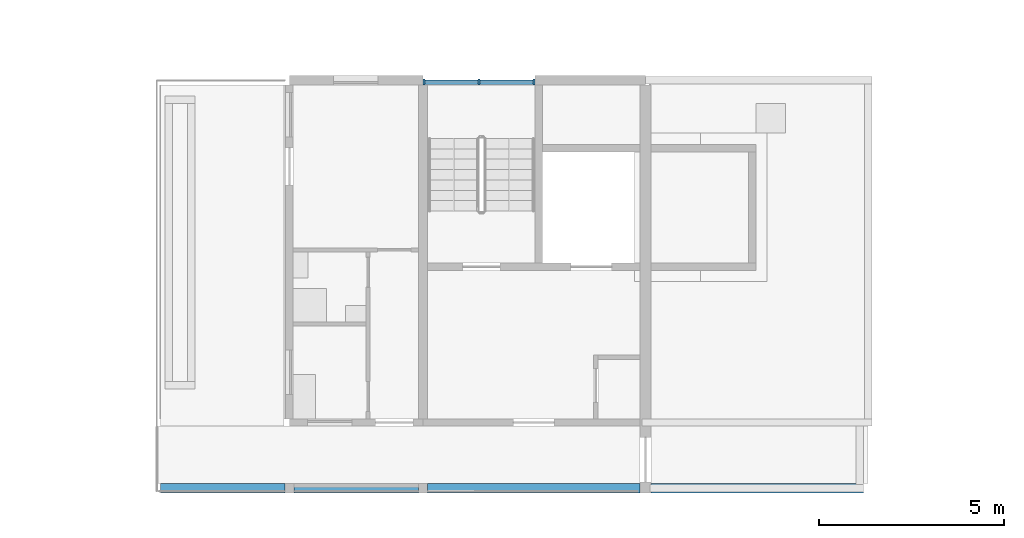
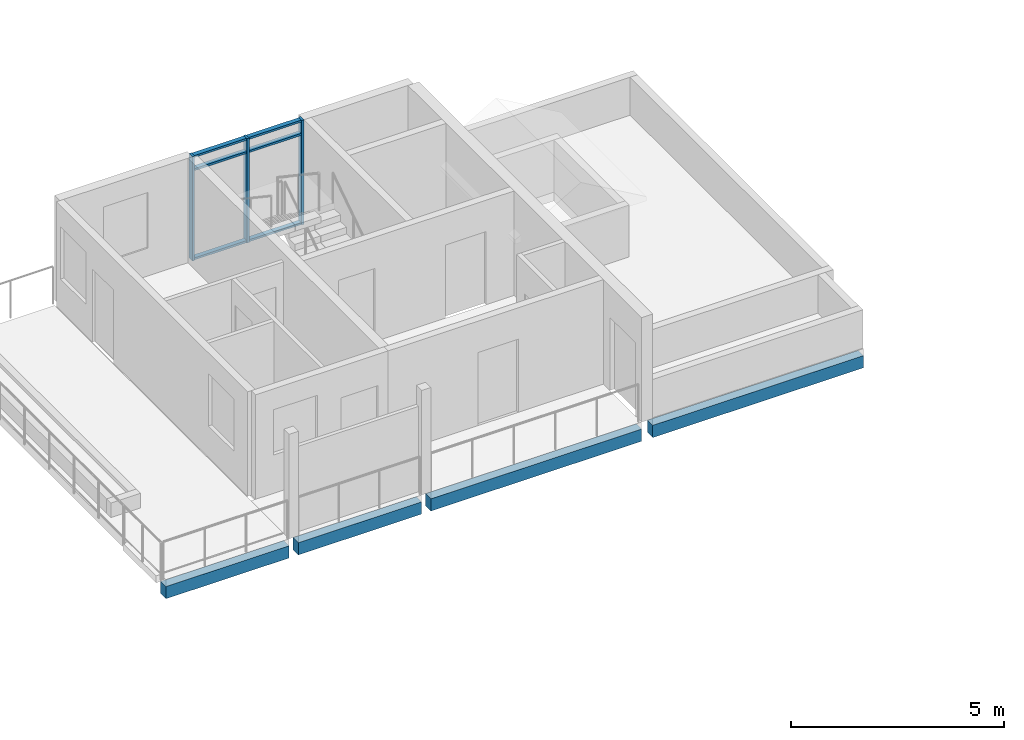
# One storey, part 6 of 33: 9 members, 4 beams, 1 element without a shape of its own.
"""IFC4 building model written with IfcOpenShell, lengths in metres."""

from ifc_helpers import new_model, si_unit, direction, frame, origin, origin_2d, place, context, subcontext, project, spatial, rectangle, extrude, material, material_profile, profile_set, type_object, element, aggregate, save


model = new_model("IFC4")

# Units and contexts
model_context = context("Model", 3, precision=1e-05, world=origin(), true_north=direction((0.0, 1.0)))
body_context = subcontext(model_context, "Body", "Model", "MODEL_VIEW")
ifc_project = project(units=[si_unit("LENGTHUNIT", "METRE"), si_unit("AREAUNIT", "SQUARE_METRE"), si_unit("VOLUMEUNIT", "CUBIC_METRE"), si_unit("PLANEANGLEUNIT", "RADIAN"), si_unit("MASSUNIT", "GRAM", prefix="KILO")], contexts=[model_context])

# Site, building, storey
site_placement = place(None, origin())
site = spatial("IfcSite", under=ifc_project, at=site_placement, CompositionType="ELEMENT")
building_placement = place(site_placement, origin())
building = spatial("IfcBuilding", under=site, at=building_placement, Name="Ridgestep Commons", CompositionType="ELEMENT")
storey_placement = place(building_placement, frame((0.0, 0.0, 42.0)))
storey = spatial("IfcBuildingStorey", under=building, at=storey_placement, Name="L14", CompositionType="ELEMENT", Elevation=42.0)

# Beams
ifc_material_1 = material(Name="Precast concrete C40/50", Category="concrete")
ifc_material_profile_1 = material_profile(ifc_material_1, rectangle(XDim=0.25, YDim=0.35009765625, at=origin_2d()), Name="PC 250x350")
ifc_profile_set_1 = profile_set([ifc_material_profile_1], Name="Precast concrete C40/50")
beam_type = type_object("IfcBeamType", Name="Loggia edge beam 250 x 350", PredefinedType="SPANDREL", material=ifc_profile_set_1)
beam_1_placement = place(storey_placement, frame((82.925048828125, 11.875, -0.375), z_axis=(1.0, 0.0, 0.0), x_axis=(0.0, 1.0, 0.0)))
element("IfcBeam", 1, at=beam_1_placement, inside=storey, type_object=beam_type, Name="Loggia edge beam A5T2 L14", PredefinedType="SPANDREL", context=body_context, shape_type="SweptSolid", body=[
    extrude(rectangle(XDim=0.25, YDim=0.35009765625, at=origin_2d()), origin(), (0.0, 0.0, 1.0), 3.349853515625),
])
beam_2_placement = place(storey_placement, frame((86.52490234375, 11.875, -0.375), z_axis=(1.0, 0.0, 0.0), x_axis=(0.0, 1.0, 0.0)))
element("IfcBeam", 2, at=beam_2_placement, inside=storey, type_object=beam_type, Name="Loggia edge beam A5T3 L14", PredefinedType="SPANDREL", context=body_context, shape_type="SweptSolid", body=[
    extrude(rectangle(XDim=0.25, YDim=0.35009765625, at=origin_2d()), origin(), (0.0, 0.0, 1.0), 3.35009765625),
])
for number, where, z_axis, x_axis, name in (
    (3, (90.125, 11.875, -0.375), (1.0, 0.0, 0.0), (0.0, 1.0, 0.0), "Loggia edge beam A5C L14"),
    (4, (96.14990234375, 11.875, -0.375), (1.0, 0.0, 0.0), (0.0, 1.0, 0.0), "Loggia edge beam A6C L14"),
):
    element("IfcBeam", number, at=place(storey_placement, frame(where, z_axis=z_axis, x_axis=x_axis)), inside=storey, type_object=beam_type, Name=name, PredefinedType="SPANDREL", context=body_context, shape_type="SweptSolid", body=[
        extrude(rectangle(XDim=0.25, YDim=0.35009765625, at=origin_2d()), origin(), (0.0, 0.0, 1.0), 5.72509765625),
    ])

# Curtain wall, members
ifc_material_2 = material(Name="Aluminium 6063-T6 and glass", Category="aluminium")
curtain_wall_type = type_object("IfcCurtainWallType", Name="Curtain wall stair strip", PredefinedType="NOTDEFINED", material=ifc_material_2)
curtain_wall_placement = place(storey_placement, origin())
curtain_wall = element("IfcCurtainWall", 5, at=curtain_wall_placement, inside=storey, type_object=curtain_wall_type, Name="Curtain wall A5C level 14", PredefinedType="NOTDEFINED")
ifc_material_3 = material(Name="Aluminium 6063-T6", Category="aluminium")
ifc_material_profile_2 = material_profile(ifc_material_3, rectangle(XDim=0.159912109375, YDim=0.06005859375, at=origin_2d()), Name="Mullion 60 x 160")
ifc_profile_set_2 = profile_set([ifc_material_profile_2], Name="Aluminium 6063-T6")
member_type_1 = type_object("IfcMemberType", Name="Mullion 60 x 160", PredefinedType="MULLION", material=ifc_profile_set_2)
member_1_placement = place(storey_placement, frame((90.030029296875, 22.830078125, 0.0), z_axis=(0.0, 0.0, 1.0), x_axis=(0.0, 1.0, 0.0)))
member_1 = element("IfcMember", 6, at=member_1_placement, type_object=member_type_1, Name="CW1 mullion 1", PredefinedType="MULLION", context=body_context, shape_type="SweptSolid", body=[
    extrude(rectangle(XDim=0.159912109375, YDim=0.06005859375, at=origin_2d()), origin(), (0.0, 0.0, 1.0), 3.0),
])
member_2_placement = place(storey_placement, frame((91.512451171875, 22.830078125, 0.0), z_axis=(0.0, 0.0, 1.0), x_axis=(0.0, 1.0, 0.0)))
member_2 = element("IfcMember", 7, at=member_2_placement, type_object=member_type_1, Name="CW1 mullion 2", PredefinedType="MULLION", context=body_context, shape_type="SweptSolid", body=[
    extrude(rectangle(XDim=0.159912109375, YDim=0.06005859375, at=origin_2d()), origin(), (0.0, 0.0, 1.0), 3.0),
])
member_3_placement = place(storey_placement, frame((92.9951171875, 22.830078125, 0.0), z_axis=(0.0, 0.0, 1.0), x_axis=(0.0, 1.0, 0.0)))
member_3 = element("IfcMember", 8, at=member_3_placement, type_object=member_type_1, Name="CW1 mullion 3", PredefinedType="MULLION", context=body_context, shape_type="SweptSolid", body=[
    extrude(rectangle(XDim=0.159912109375, YDim=0.06005859375, at=origin_2d()), origin(), (0.0, 0.0, 1.0), 3.0),
])
ifc_material_4 = material(Name="Aluminium 6063-T6", Category="aluminium")
ifc_material_profile_3 = material_profile(ifc_material_4, rectangle(XDim=0.1201171875, YDim=0.06005859375, at=origin_2d()), Name="Transom 60 x 120")
ifc_profile_set_3 = profile_set([ifc_material_profile_3], Name="Aluminium 6063-T6")
member_type_2 = type_object("IfcMemberType", Name="Transom 60 x 120", PredefinedType="USERDEFINED", material=ifc_profile_set_3)
member_4_placement = place(storey_placement, frame((90.06005859375, 22.830078125, 0.030029296875), z_axis=(1.0, 0.0, 0.0), x_axis=(0.0, 1.0, 0.0)))
member_4 = element("IfcMember", 9, at=member_4_placement, type_object=member_type_2, Name="CW1 transom 1.1", ObjectType="TRANSOM", PredefinedType="USERDEFINED", context=body_context, shape_type="SweptSolid", body=[
    extrude(rectangle(XDim=0.1201171875, YDim=0.06005859375, at=origin_2d()), origin(), (0.0, 0.0, 1.0), 1.42236328125),
])
member_5_placement = place(storey_placement, frame((90.06005859375, 22.830078125, 2.590087890625), z_axis=(1.0, 0.0, 0.0), x_axis=(0.0, 1.0, 0.0)))
member_5 = element("IfcMember", 10, at=member_5_placement, type_object=member_type_2, Name="CW1 transom 1.2", ObjectType="TRANSOM", PredefinedType="USERDEFINED", context=body_context, shape_type="SweptSolid", body=[
    extrude(rectangle(XDim=0.1201171875, YDim=0.06005859375, at=origin_2d()), origin(), (0.0, 0.0, 1.0), 1.42236328125),
])
member_6_placement = place(storey_placement, frame((90.06005859375, 22.830078125, 2.969970703125), z_axis=(1.0, 0.0, 0.0), x_axis=(0.0, 1.0, 0.0)))
member_6 = element("IfcMember", 11, at=member_6_placement, type_object=member_type_2, Name="CW1 transom 1.3", ObjectType="TRANSOM", PredefinedType="USERDEFINED", context=body_context, shape_type="SweptSolid", body=[
    extrude(rectangle(XDim=0.1201171875, YDim=0.06005859375, at=origin_2d()), origin(), (0.0, 0.0, 1.0), 1.42236328125),
])
member_7_placement = place(storey_placement, frame((91.54248046875, 22.830078125, 0.030029296875), z_axis=(1.0, 0.0, 0.0), x_axis=(0.0, 1.0, 0.0)))
member_7 = element("IfcMember", 12, at=member_7_placement, type_object=member_type_2, Name="CW1 transom 2.1", ObjectType="TRANSOM", PredefinedType="USERDEFINED", context=body_context, shape_type="SweptSolid", body=[
    extrude(rectangle(XDim=0.1201171875, YDim=0.06005859375, at=origin_2d()), origin(), (0.0, 0.0, 1.0), 1.422607421875),
])
member_8_placement = place(storey_placement, frame((91.54248046875, 22.830078125, 2.590087890625), z_axis=(1.0, 0.0, 0.0), x_axis=(0.0, 1.0, 0.0)))
member_8 = element("IfcMember", 13, at=member_8_placement, type_object=member_type_2, Name="CW1 transom 2.2", ObjectType="TRANSOM", PredefinedType="USERDEFINED", context=body_context, shape_type="SweptSolid", body=[
    extrude(rectangle(XDim=0.1201171875, YDim=0.06005859375, at=origin_2d()), origin(), (0.0, 0.0, 1.0), 1.422607421875),
])
member_9_placement = place(storey_placement, frame((91.54248046875, 22.830078125, 2.969970703125), z_axis=(1.0, 0.0, 0.0), x_axis=(0.0, 1.0, 0.0)))
member_9 = element("IfcMember", 14, at=member_9_placement, type_object=member_type_2, Name="CW1 transom 2.3", ObjectType="TRANSOM", PredefinedType="USERDEFINED", context=body_context, shape_type="SweptSolid", body=[
    extrude(rectangle(XDim=0.1201171875, YDim=0.06005859375, at=origin_2d()), origin(), (0.0, 0.0, 1.0), 1.422607421875),
])
aggregate(curtain_wall, [member_1, member_2, member_3, member_4, member_5, member_6, member_7, member_8, member_9])

save(model, "model.ifc")
